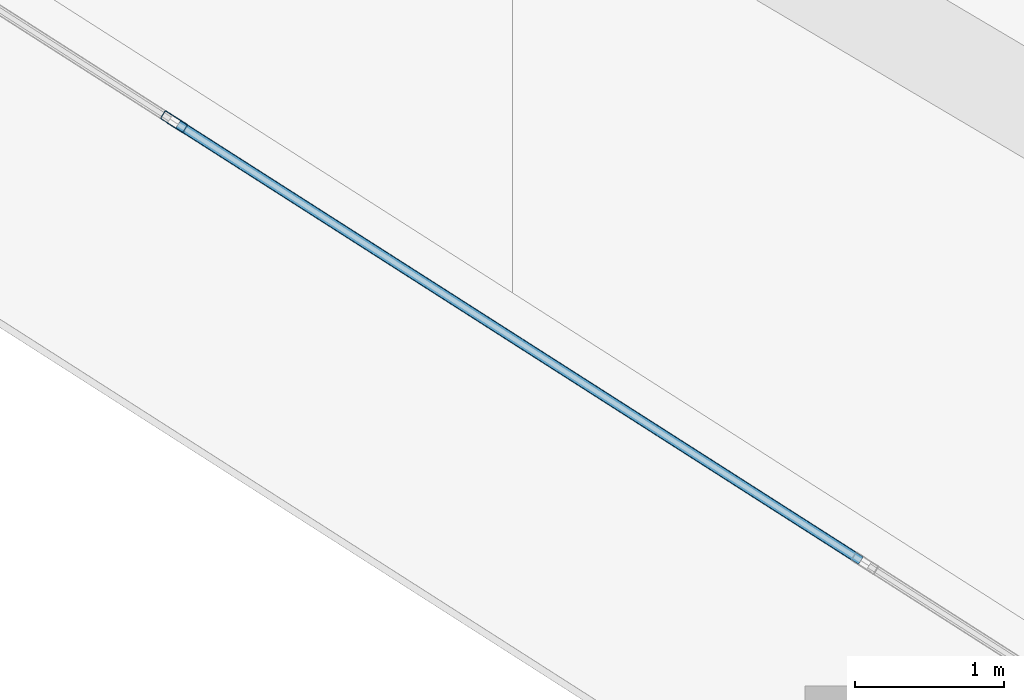
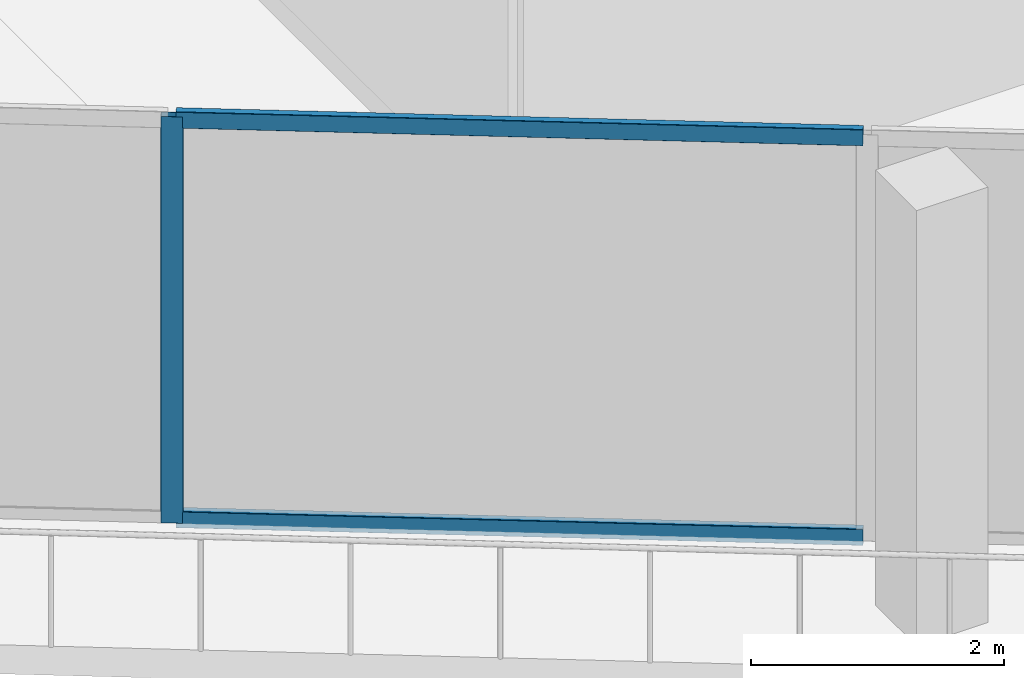
# One storey, part 5 of 45: 3 members, 1 element without a shape of its own.
"""IFC4 building model written with IfcOpenShell, lengths in metres."""

from ifc_helpers import new_model, si_unit, direction, frame, origin, origin_2d, place, context, subcontext, project, spatial, hollow_rectangle, extrude, material, layer, layer_set, material_profile, profile_set, type_object, element, aggregate, save


model = new_model("IFC4")

# Units and contexts
model_context = context("Model", 3, precision=1e-05, world=origin(), true_north=direction((0.0, 1.0)))
body_context = subcontext(model_context, "Body", "Model", "MODEL_VIEW")
ifc_project = project(units=[si_unit("LENGTHUNIT", "METRE"), si_unit("AREAUNIT", "SQUARE_METRE"), si_unit("VOLUMEUNIT", "CUBIC_METRE"), si_unit("PLANEANGLEUNIT", "RADIAN"), si_unit("MASSUNIT", "GRAM", prefix="KILO")], contexts=[model_context])

# Site, building, storey
site_placement = place(None, origin())
site = spatial("IfcSite", under=ifc_project, at=site_placement, CompositionType="ELEMENT")
building_placement = place(site_placement, origin())
building = spatial("IfcBuilding", under=site, at=building_placement, Name="Qorvath Tower", CompositionType="ELEMENT")
storey_placement = place(building_placement, frame((0.0, 0.0, 91.199951171875)))
storey = spatial("IfcBuildingStorey", under=building, at=storey_placement, Name="L20", CompositionType="ELEMENT", Elevation=91.199951171875)

# Curtain wall, members
ifc_material_1 = material(Name="Anodised aluminium and triple low-E glass", Category="aluminium")
ifc_layer = layer(ifc_material_1, 0.179931640625)
ifc_layer_set = layer_set([ifc_layer], Name="CW-SYS-2")
curtain_wall_type = type_object("IfcCurtainWallType", Name="CW-SYS-2", PredefinedType="NOTDEFINED", material=ifc_layer_set)
curtain_wall_placement = place(storey_placement, origin())
curtain_wall = element("IfcCurtainWall", 1, at=curtain_wall_placement, inside=storey, type_object=curtain_wall_type, Name="Curtain Wall CW-2 CW-T-L20-2.1", PredefinedType="NOTDEFINED")
ifc_material_2 = material(Name="Anodised aluminium 6063-T6", Category="aluminium")
ifc_material_profile_1 = material_profile(ifc_material_2, hollow_rectangle(XDim=0.06494140625, YDim=0.179931640625, WallThickness=0.00341796875, InnerFilletRadius=0.00341796875, OuterFilletRadius=0.007080078125, at=origin_2d()), Name="CWM 180x65")
ifc_profile_set_1 = profile_set([ifc_material_profile_1], Name="Anodised aluminium 6063-T6")
member_type_1 = type_object("IfcMemberType", Name="CWM-180", PredefinedType="MULLION", material=ifc_profile_set_1)
member_1_placement = place(storey_placement, frame((-44.89013671875, -12.843505859375, 0.0), z_axis=(0.0, 0.0, 1.0), x_axis=(0.53852928912, 0.842606791309, 0.0)))
member_1 = element("IfcMember", 2, at=member_1_placement, type_object=member_type_1, Name="CW-2 mullion 4", PredefinedType="MULLION", context=body_context, shape_type="SweptSolid", body=[
    extrude(hollow_rectangle(XDim=0.06494140625, YDim=0.179931640625, WallThickness=0.00341796875, InnerFilletRadius=0.00341796875, OuterFilletRadius=0.007080078125, at=origin_2d()), origin(), (0.0, 0.0, 1.0), 3.920166015625),
])
ifc_material_3 = material(Name="Anodised aluminium 6063-T6", Category="aluminium")
ifc_material_profile_2 = material_profile(ifc_material_3, hollow_rectangle(XDim=0.06494140625, YDim=0.159912109375, WallThickness=0.00341796875, InnerFilletRadius=0.00341796875, OuterFilletRadius=0.007080078125, at=origin_2d()), Name="CWT 160x65")
ifc_profile_set_2 = profile_set([ifc_material_profile_2], Name="Anodised aluminium 6063-T6")
member_type_2 = type_object("IfcMemberType", Name="CWT-160", PredefinedType="USERDEFINED", material=ifc_profile_set_2)
member_2_placement = place(storey_placement, frame((-44.86279296875, -12.861083984375, 0.032470703125), z_axis=(0.842620391035, -0.538508009794, 0.0), x_axis=(0.538508009794, 0.842620391035, 0.0)))
member_2 = element("IfcMember", 3, at=member_2_placement, type_object=member_type_2, Name="CW-2 transom 4.1", ObjectType="TRANSOM", PredefinedType="USERDEFINED", context=body_context, shape_type="SweptSolid", body=[
    extrude(hollow_rectangle(XDim=0.06494140625, YDim=0.159912109375, WallThickness=0.00341796875, InnerFilletRadius=0.00341796875, OuterFilletRadius=0.007080078125, at=origin_2d()), origin(), (0.0, 0.0, 1.0), 5.43505859375),
])
member_3_placement = place(storey_placement, frame((-44.86279296875, -12.861083984375, 3.8876953125), z_axis=(0.842620391035, -0.538508009794, 0.0), x_axis=(0.538508009794, 0.842620391035, 0.0)))
member_3 = element("IfcMember", 4, at=member_3_placement, type_object=member_type_2, Name="CW-2 transom 4.2", ObjectType="TRANSOM", PredefinedType="USERDEFINED", context=body_context, shape_type="SweptSolid", body=[
    extrude(hollow_rectangle(XDim=0.06494140625, YDim=0.159912109375, WallThickness=0.00341796875, InnerFilletRadius=0.00341796875, OuterFilletRadius=0.007080078125, at=origin_2d()), origin(), (0.0, 0.0, 1.0), 5.43505859375),
])
aggregate(curtain_wall, [member_1, member_2, member_3])

save(model, "model.ifc")
